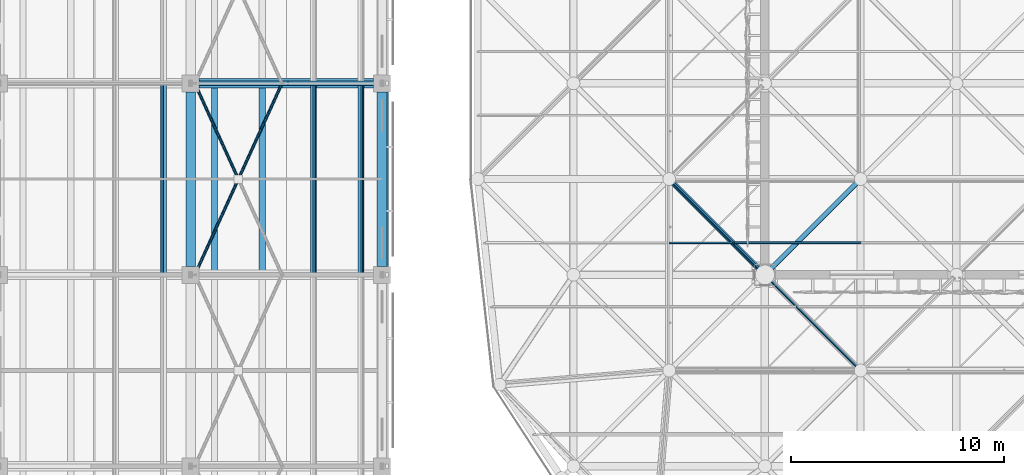
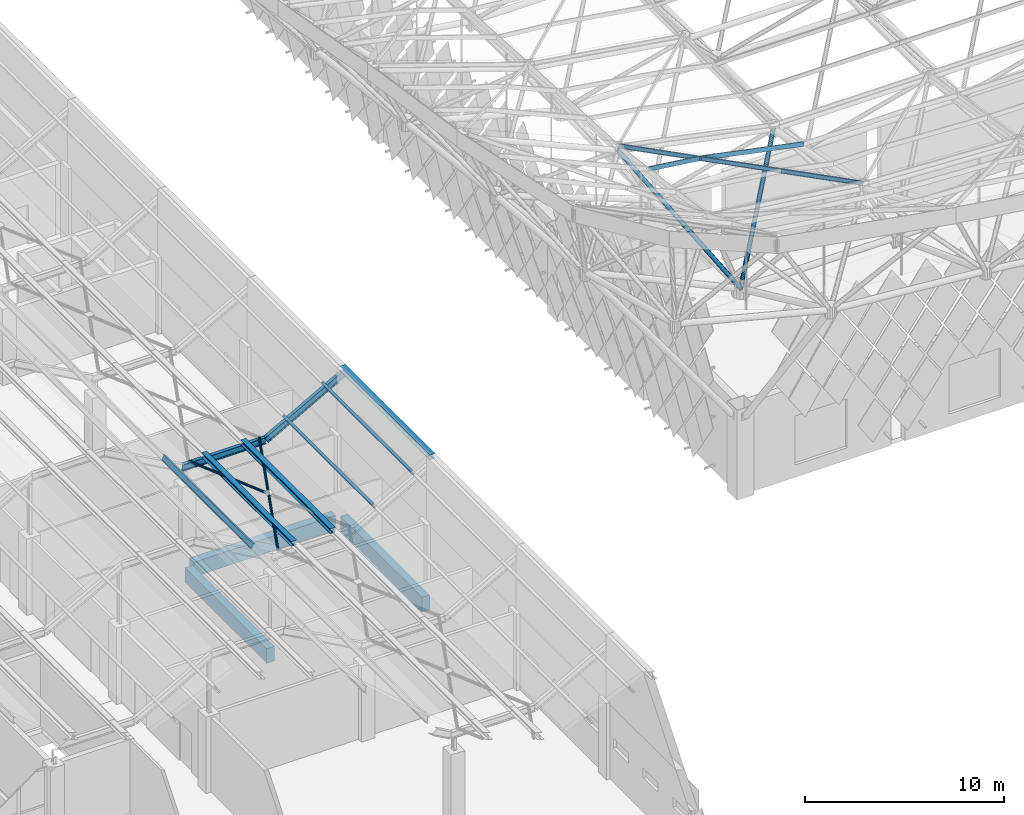
# One storey, part 47 of 437: 15 members, 3 beams.
"""IFC4 building model written with IfcOpenShell, lengths in metres."""

from ifc_helpers import new_model, si_unit, direction, frame, origin, origin_2d, place, context, subcontext, project, spatial, polyline, rectangle, hollow_circle, i_section, outline, extrude, material, material_profile, profile_set, type_object, element, save


model = new_model("IFC4")

# Units and contexts
model_context = context("Model", 3, precision=1e-05, world=origin(), true_north=direction((0.0, 1.0)))
body_context = subcontext(model_context, "Body", "Model", "MODEL_VIEW")
ifc_project = project(units=[si_unit("LENGTHUNIT", "METRE"), si_unit("AREAUNIT", "SQUARE_METRE"), si_unit("VOLUMEUNIT", "CUBIC_METRE"), si_unit("PLANEANGLEUNIT", "RADIAN"), si_unit("MASSUNIT", "GRAM", prefix="KILO")], contexts=[model_context])

# Site, building, storey
site_placement = place(None, origin())
site = spatial("IfcSite", under=ifc_project, at=site_placement, CompositionType="ELEMENT")
building_placement = place(site_placement, origin())
building = spatial("IfcBuilding", under=site, at=building_placement, Name="Opaline Strait Convention Centre", CompositionType="ELEMENT")
storey_placement = place(building_placement, frame((0.0, 0.0, 11.5)))
storey = spatial("IfcBuildingStorey", under=building, at=storey_placement, Name="L02", CompositionType="ELEMENT", Elevation=11.5)

# Members
ifc_material_1 = material(Name="Steel Q355B", Category="steel")
ifc_material_profile_1 = material_profile(ifc_material_1, i_section(OverallWidth=0.300048828125, OverallDepth=0.300048828125, WebThickness=0.010009765625, FlangeThickness=0.014892578125, FilletRadius=0.012939453125, at=origin_2d()), Name="HW 300x300x10x15")
ifc_profile_set_1 = profile_set([ifc_material_profile_1], Name="Steel Q355B")
member_type_1 = type_object("IfcMemberType", Name="Crest purlin HW 300x300x10x15", PredefinedType="PURLIN", material=ifc_profile_set_1)
for number, where, z_axis, x_axis, name in (
    (1, (73.125, 54.0, 5.949951171875), (0.0, 1.0, 0.0), (-1.0, 0.0, 0.0), "RU1 purlin facet 15 line 1"),
    (2, (75.375, 54.0, 5.949951171875), (0.0, 1.0, 0.0), (-1.0, 0.0, 0.0), "RU1 purlin facet 15 line 2"),
    (3, (81.14990234375, 54.0, 8.449951171875), (0.0, 1.0, 0.0), (-1.0, 0.0, 0.0), "RU1 purlin facet 17 line 1"),
):
    element("IfcMember", number, at=place(storey_placement, frame(where, z_axis=z_axis, x_axis=x_axis)), inside=storey, type_object=member_type_1, Name=name, PredefinedType="PURLIN", context=body_context, shape_type="SweptSolid", body=[
        extrude(i_section(OverallWidth=0.300048828125, OverallDepth=0.300048828125, WebThickness=0.010009765625, FlangeThickness=0.014892578125, FilletRadius=0.012939453125, at=origin_2d()), origin(), (0.0, 0.0, 1.0), 9.0),
    ])

# Beams
ifc_material_2 = material(Name="Concrete C35", Category="concrete")
ifc_material_profile_2 = material_profile(ifc_material_2, rectangle(XDim=0.449951171875, YDim=0.89990234375, at=origin_2d()), Name="RC 450x900")
ifc_profile_set_2 = profile_set([ifc_material_profile_2], Name="Concrete C35")
beam_type = type_object("IfcBeamType", Name="RC beam 450x900 C35", PredefinedType="BEAM", material=ifc_profile_set_2)
for number, where, z_axis, x_axis, name in (
    (4, (72.39990234375, 63.0, -0.72998046875), (1.0, 0.0, 0.0), (0.0, 1.0, 0.0), "XB1 L02 72/63-81/63"),
    (5, (72.0, 54.39990234375, -0.72998046875), (0.0, 1.0, 0.0), (-1.0, 0.0, 0.0), "XB1 L02 72/54-72/63"),
    (6, (81.0, 54.39990234375, -0.72998046875), (0.0, 1.0, 0.0), (-1.0, 0.0, 0.0), "XB1 L02 81/54-81/63"),
):
    element("IfcBeam", number, at=place(storey_placement, frame(where, z_axis=z_axis, x_axis=x_axis)), inside=storey, type_object=beam_type, Name=name, PredefinedType="BEAM", context=body_context, shape_type="SweptSolid", body=[
        extrude(rectangle(XDim=0.449951171875, YDim=0.89990234375, at=origin_2d()), origin(), (0.0, 0.0, 1.0), 8.2001953125),
    ])

# Members
ifc_material_profile_3 = material_profile(ifc_material_1, hollow_circle(Radius=0.070068359375, WallThickness=0.0048828125, at=origin_2d()), Name="CHS 140x5")
ifc_profile_set_3 = profile_set([ifc_material_profile_3], Name="Steel Q355B")
member_type_2 = type_object("IfcMemberType", Name="Roof bracing CHS 140x5", PredefinedType="BRACE", material=ifc_profile_set_3)
member_1_placement = place(storey_placement, frame((72.199951171875, 54.0, 5.8701171875), z_axis=(0.414572789354, 0.910016154981, 0.0), x_axis=(-0.910016154981, 0.414572789354, 0.0)))
element("IfcMember", 7, at=member_1_placement, inside=storey, type_object=member_type_2, Name="RX1 roof brace bay 6 at 72", PredefinedType="BRACE", context=body_context, shape_type="SweptSolid", body=[
    extrude(hollow_circle(Radius=0.070068359375, WallThickness=0.0048828125, at=origin_2d()), origin(), (0.0, 0.0, 1.0), 9.889892578125),
])
member_2_placement = place(storey_placement, frame((74.185546875, 58.6416015625, 5.8701171875), z_axis=(-0.41458243593, 0.910011760264, 0.0), x_axis=(-0.910011760264, -0.41458243593, 0.0)))
element("IfcMember", 8, at=member_2_placement, inside=storey, type_object=member_type_2, Name="RX1 roof brace bay 6 at 72", PredefinedType="BRACE", context=body_context, shape_type="SweptSolid", body=[
    extrude(hollow_circle(Radius=0.070068359375, WallThickness=0.0048828125, at=origin_2d()), origin(), (0.0, 0.0, 1.0), 4.789306640625),
])
ifc_material_profile_4 = material_profile(ifc_material_1, outline(polyline([(-0.03759765625, -0.125), (0.03759765625, -0.125), (0.03759765625, -0.10498046875), (0.034912109375, -0.10498046875), (0.034912109375, -0.12255859375), (-0.034912109375, -0.12255859375), (-0.034912109375, 0.12255859375), (0.034912109375, 0.12255859375), (0.034912109375, 0.10498046875), (0.03759765625, 0.10498046875), (0.03759765625, 0.125), (-0.03759765625, 0.125), (-0.03759765625, -0.125)])), Name="C 250x75x20x2.5")
ifc_profile_set_4 = profile_set([ifc_material_profile_4], Name="Steel Q355B")
member_type_3 = type_object("IfcMemberType", Name="Roof purlin C 250x75x20x2.5", PredefinedType="PURLIN", material=ifc_profile_set_4)
member_3_placement = place(storey_placement, frame((103.5, 49.5, 20.094970703125), z_axis=(-0.707106781187, 0.707106781187, 0.0), x_axis=(-0.695418880638, -0.695418880638, 0.181066730526)))
element("IfcMember", 9, at=member_3_placement, inside=storey, type_object=member_type_3, Name="EXB-RF-F-1-1", PredefinedType="PURLIN", context=body_context, shape_type="SweptSolid", body=[
    extrude(outline(polyline([(-0.03759765625, -0.125), (0.03759765625, -0.125), (0.03759765625, -0.10498046875), (0.034912109375, -0.10498046875), (0.034912109375, -0.12255859375), (-0.034912109375, -0.12255859375), (-0.034912109375, 0.12255859375), (0.034912109375, 0.12255859375), (0.034912109375, 0.10498046875), (0.03759765625, 0.10498046875), (0.03759765625, 0.125), (-0.03759765625, 0.125), (-0.03759765625, -0.125)])), origin(), (0.0, 0.0, 1.0), 12.72802734375),
])
member_4_placement = place(storey_placement, frame((97.550048828125, 55.5, 20.087890625), z_axis=(0.979777848747, 0.0, -0.200088398228), x_axis=(-0.040033217095, 0.97978004307, -0.196031652368)))
element("IfcMember", 10, at=member_4_placement, inside=storey, type_object=member_type_3, Name="EXB-RF-P-1-1-1a", PredefinedType="PURLIN", context=body_context, shape_type="SweptSolid", body=[
    extrude(outline(polyline([(-0.03759765625, -0.125), (0.03759765625, -0.125), (0.03759765625, -0.10498046875), (0.034912109375, -0.10498046875), (0.034912109375, -0.12255859375), (-0.034912109375, -0.12255859375), (-0.034912109375, 0.12255859375), (0.034912109375, 0.12255859375), (0.034912109375, 0.10498046875), (0.03759765625, 0.10498046875), (0.03759765625, 0.125), (-0.03759765625, 0.125), (-0.03759765625, -0.125)])), origin(), (0.0, 0.0, 1.0), 6.07275390625),
])
member_5_placement = place(storey_placement, frame((94.5, 55.5, 20.48681640625), z_axis=(0.991632414904, 0.0, -0.12909358509), x_axis=(-0.01666533867, 0.991632228384, -0.12801480429)))
element("IfcMember", 11, at=member_5_placement, inside=storey, type_object=member_type_3, Name="EXB-RF-P-1-1-1b", PredefinedType="PURLIN", context=body_context, shape_type="SweptSolid", body=[
    extrude(outline(polyline([(-0.03759765625, -0.125), (0.03759765625, -0.125), (0.03759765625, -0.10498046875), (0.034912109375, -0.10498046875), (0.034912109375, -0.12255859375), (-0.034912109375, -0.12255859375), (-0.034912109375, 0.12255859375), (0.034912109375, 0.12255859375), (0.034912109375, 0.10498046875), (0.03759765625, 0.10498046875), (0.03759765625, 0.125), (-0.03759765625, 0.125), (-0.03759765625, -0.125)])), origin(), (0.0, 0.0, 1.0), 2.974853515625),
])
ifc_material_profile_5 = material_profile(ifc_material_1, i_section(OverallWidth=0.14990234375, OverallDepth=0.300048828125, WebThickness=0.006591796875, FlangeThickness=0.009033203125, FilletRadius=0.012939453125, at=origin_2d()), Name="HN 300x150x6.5x9")
ifc_profile_set_5 = profile_set([ifc_material_profile_5], Name="Steel Q355B")
member_type_4 = type_object("IfcMemberType", Name="Roof purlin HN 300x150x6.5x9", PredefinedType="PURLIN", material=ifc_profile_set_5)
for number, where, z_axis, x_axis, name in (
    (12, (70.729248046875, 54.0, 6.61279296875), (0.0, 1.0, 0.0), (-0.874157310866, 0.0, 0.485642868639), "RU1 purlin facet 14 line 2"),
    (13, (77.770751953125, 54.0, 6.61279296875), (0.0, 1.0, 0.0), (-0.874157310866, 0.0, -0.485642868639), "RU1 purlin facet 16 line 1"),
    (14, (80.020751953125, 54.0, 7.86279296875), (0.0, 1.0, 0.0), (-0.874157310866, 0.0, -0.485642868639), "RU1 purlin facet 16 line 2"),
):
    element("IfcMember", number, at=place(storey_placement, frame(where, z_axis=z_axis, x_axis=x_axis)), inside=storey, type_object=member_type_4, Name=name, PredefinedType="PURLIN", context=body_context, shape_type="SweptSolid", body=[
        extrude(i_section(OverallWidth=0.14990234375, OverallDepth=0.300048828125, WebThickness=0.006591796875, FlangeThickness=0.009033203125, FilletRadius=0.012939453125, at=origin_2d()), origin(), (0.0, 0.0, 1.0), 9.0),
    ])
ifc_material_profile_6 = material_profile(ifc_material_1, i_section(OverallWidth=0.199951171875, OverallDepth=0.39990234375, WebThickness=0.008056640625, FlangeThickness=0.012939453125, FilletRadius=0.012939453125, at=origin_2d()), Name="HN 400x200x8x13")
ifc_profile_set_6 = profile_set([ifc_material_profile_6], Name="Steel Q355B")
member_type_5 = type_object("IfcMemberType", Name="Roof rafter HN 400x200x8x13", PredefinedType="RAFTER", material=ifc_profile_set_6)
member_6_placement = place(storey_placement, frame((71.83154296875, 63.0, 5.60009765625), z_axis=(1.0, 0.0, 0.0), x_axis=(0.0, 1.0, 0.0)))
element("IfcMember", 15, at=member_6_placement, inside=storey, type_object=member_type_5, Name="RR1 rafter line 7 facet 16", PredefinedType="RAFTER", context=body_context, shape_type="SweptSolid", body=[
    extrude(i_section(OverallWidth=0.199951171875, OverallDepth=0.39990234375, WebThickness=0.008056640625, FlangeThickness=0.012939453125, FilletRadius=0.012939453125, at=origin_2d()), origin(), (0.0, 0.0, 1.0), 4.8369140625),
])
member_7_placement = place(storey_placement, frame((76.66845703125, 63.0, 5.60009765625), z_axis=(0.874157276122, 0.0, 0.485642931179), x_axis=(0.0, 1.0, 0.0)))
element("IfcMember", 16, at=member_7_placement, inside=storey, type_object=member_type_5, Name="RR1 rafter line 7 facet 17", PredefinedType="RAFTER", context=body_context, shape_type="SweptSolid", body=[
    extrude(i_section(OverallWidth=0.199951171875, OverallDepth=0.39990234375, WebThickness=0.008056640625, FlangeThickness=0.012939453125, FilletRadius=0.012939453125, at=origin_2d()), origin(), (0.0, 0.0, 1.0), 5.147705078125),
])
ifc_material_profile_7 = material_profile(ifc_material_1, hollow_circle(Radius=0.12255859375, WallThickness=0.011962890625, at=origin_2d()), Name="CHS 245x12")
ifc_profile_set_7 = profile_set([ifc_material_profile_7], Name="Steel Q355B")
member_type_6 = type_object("IfcMemberType", Name="Space frame web CHS 245x12", PredefinedType="BRACE", material=ifc_profile_set_7)
member_8_placement = place(storey_placement, frame((94.476806640625, 58.523193359375, 19.84716796875), z_axis=(0.464318393321, -0.464318393321, -0.754199482396), x_axis=(0.707106781187, 0.707106781187, 0.0)))
element("IfcMember", 17, at=member_8_placement, inside=storey, type_object=member_type_6, Name="EXB-RF-W-1-1-01", PredefinedType="BRACE", context=body_context, shape_type="SweptSolid", body=[
    extrude(hollow_circle(Radius=0.12255859375, WallThickness=0.011962890625, at=origin_2d()), origin(), (0.0, 0.0, 1.0), 9.79150390625),
])
member_9_placement = place(storey_placement, frame((103.52685546875, 58.52685546875, 18.004150390625), z_axis=(-0.536178220346, -0.536178220346, -0.6519400525), x_axis=(0.707106781187, -0.707106781187, 0.0)))
element("IfcMember", 18, at=member_9_placement, inside=storey, type_object=member_type_6, Name="EXB-RF-W-1-1-11", PredefinedType="BRACE", context=body_context, shape_type="SweptSolid", body=[
    extrude(hollow_circle(Radius=0.12255859375, WallThickness=0.011962890625, at=origin_2d()), origin(), (0.0, 0.0, 1.0), 8.492919921875),
])

save(model, "model.ifc")
